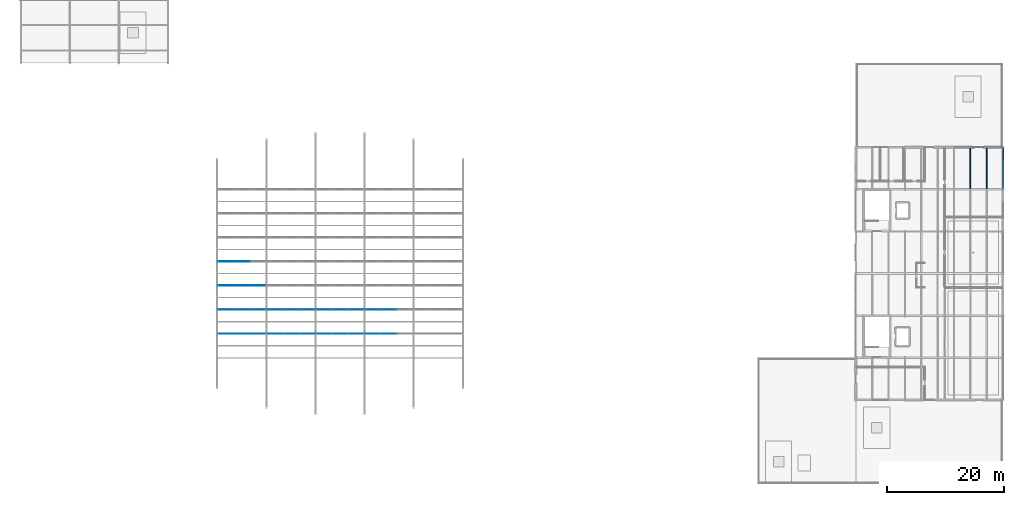
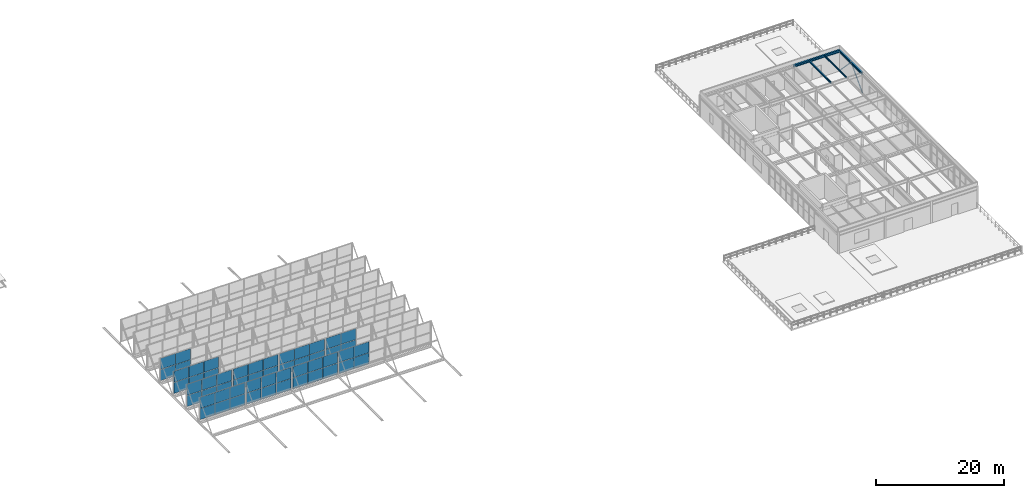
# One storey, part 64 of 77: 54 plates, 4 beams, 2 members, 10 elements without a shape of their own.
"""IFC4 building model written with IfcOpenShell, lengths in metres."""

from ifc_helpers import new_model, si_unit, derived_unit, direction, frame, origin, origin_2d, place, context, subcontext, project, spatial, rectangle, hollow_rectangle, i_section, extrude, material, layer, layer_set, material_profile, profile_set, type_object, element, aggregate, save


model = new_model("IFC4")

# Units and contexts
model_context = context("Model", 3, precision=1e-05, world=origin(), true_north=direction((0.0, 1.0)))
body_context = subcontext(model_context, "Body", "Model", "MODEL_VIEW")
ifc_project = project(units=[si_unit("LENGTHUNIT", "METRE"), si_unit("AREAUNIT", "SQUARE_METRE"), si_unit("VOLUMEUNIT", "CUBIC_METRE"), si_unit("PLANEANGLEUNIT", "RADIAN"), si_unit("MASSUNIT", "GRAM", prefix="KILO"), derived_unit("THERMALTRANSMITTANCEUNIT", [(si_unit("MASSUNIT", "GRAM", prefix="KILO"), 1), (si_unit("TIMEUNIT", "SECOND"), -3), (si_unit("THERMODYNAMICTEMPERATUREUNIT", "KELVIN"), -1)])], contexts=[model_context])

# Site, building, storey
site_placement = place(None, origin())
site = spatial("IfcSite", under=ifc_project, at=site_placement, CompositionType="ELEMENT")
building_placement = place(site_placement, origin())
building = spatial("IfcBuilding", under=site, at=building_placement, Name="Kharveza Railside Sports Centre", CompositionType="ELEMENT")
storey_placement = place(building_placement, frame((0.0, 0.0, 17.10009765625)))
storey = spatial("IfcBuildingStorey", under=building, at=storey_placement, Name="L04", CompositionType="ELEMENT", Elevation=17.10009765625)

# Beams
ifc_material_1 = material(Name="Steel S355J2", Category="steel")
ifc_material_profile_1 = material_profile(ifc_material_1, i_section(OverallWidth=0.300048828125, OverallDepth=0.449951171875, WebThickness=0.013916015625, FlangeThickness=0.02587890625, FilletRadius=0.027099609375, at=origin_2d()), Name="HEB 450")
ifc_profile_set_1 = profile_set([ifc_material_profile_1], Name="Steel S355J2")
beam_type_1 = type_object("IfcBeamType", Name="BM-G06", PredefinedType="T_BEAM", material=ifc_profile_set_1)
beam_1_placement = place(storey_placement, frame((159.60009765625, 72.0, 3.784912109375), z_axis=(1.0, 0.0, 0.0), x_axis=(0.0, 1.0, 0.0)))
element("IfcBeam", 1, at=beam_1_placement, inside=storey, type_object=beam_type_1, Name="BM-EW-L04-B06-X1596-Y720", PredefinedType="T_BEAM", context=body_context, shape_type="SweptSolid", body=[
    extrude(i_section(OverallWidth=0.300048828125, OverallDepth=0.449951171875, WebThickness=0.013916015625, FlangeThickness=0.02587890625, FilletRadius=0.027099609375, at=origin_2d()), origin(), (0.0, 0.0, 1.0), 8.39990234375),
])
ifc_material_profile_2 = material_profile(ifc_material_1, i_section(OverallWidth=0.169921875, OverallDepth=0.360107421875, WebThickness=0.008056640625, FlangeThickness=0.0126953125, FilletRadius=0.01806640625, at=origin_2d()), Name="IPE 360")
ifc_profile_set_2 = profile_set([ifc_material_profile_2], Name="Steel S355J2")
beam_type_2 = type_object("IfcBeamType", Name="BM-S02", PredefinedType="BEAM", material=ifc_profile_set_2)
beam_2_placement = place(storey_placement, frame((162.39990234375, 64.902099609375, 3.829833984375), z_axis=(0.0, 1.0, 0.0), x_axis=(-1.0, 0.0, 0.0)))
element("IfcBeam", 2, at=beam_2_placement, inside=storey, type_object=beam_type_2, Name="BM-SEC-L04-B10-X1624-Y648", PredefinedType="BEAM", context=body_context, shape_type="SweptSolid", body=[
    extrude(i_section(OverallWidth=0.169921875, OverallDepth=0.360107421875, WebThickness=0.008056640625, FlangeThickness=0.0126953125, FilletRadius=0.01806640625, at=origin_2d()), origin(), (0.0, 0.0, 1.0), 6.950927734375),
])
ifc_material_profile_3 = material_profile(ifc_material_1, i_section(OverallWidth=0.14990234375, OverallDepth=0.300048828125, WebThickness=0.007080078125, FlangeThickness=0.0107421875, FilletRadius=0.014892578125, at=origin_2d()), Name="IPE 300")
ifc_profile_set_3 = profile_set([ifc_material_profile_3], Name="Steel S355J2")
beam_type_3 = type_object("IfcBeamType", Name="BM-S04", PredefinedType="BEAM", material=ifc_profile_set_3)
beam_3_placement = place(storey_placement, frame((165.199951171875, 64.902099609375, 3.85986328125), z_axis=(0.0, 1.0, 0.0), x_axis=(-1.0, 0.0, 0.0)))
element("IfcBeam", 3, at=beam_3_placement, inside=storey, type_object=beam_type_3, Name="BM-SEC-L04-B12-X1652-Y648", PredefinedType="BEAM", context=body_context, shape_type="SweptSolid", body=[
    extrude(i_section(OverallWidth=0.14990234375, OverallDepth=0.300048828125, WebThickness=0.007080078125, FlangeThickness=0.0107421875, FilletRadius=0.014892578125, at=origin_2d()), origin(), (0.0, 0.0, 1.0), 6.950927734375),
])
ifc_material_profile_4 = material_profile(ifc_material_1, i_section(OverallWidth=0.300048828125, OverallDepth=0.43994140625, WebThickness=0.011474609375, FlangeThickness=0.02099609375, FilletRadius=0.027099609375, at=origin_2d()), Name="HEA 450")
ifc_profile_set_4 = profile_set([ifc_material_profile_4], Name="Steel S355J2")
beam_type_4 = type_object("IfcBeamType", Name="BM-SP01", PredefinedType="SPANDREL", material=ifc_profile_set_4)
beam_4_placement = place(storey_placement, frame((168.0, 64.800048828125, 3.789794921875), z_axis=(0.0, 1.0, 0.0), x_axis=(-1.0, 0.0, 0.0)))
element("IfcBeam", 4, at=beam_4_placement, inside=storey, type_object=beam_type_4, Name="BM-NS-L04-B15-X1680-Y648", PredefinedType="SPANDREL", context=body_context, shape_type="SweptSolid", body=[
    extrude(i_section(OverallWidth=0.300048828125, OverallDepth=0.43994140625, WebThickness=0.011474609375, FlangeThickness=0.02099609375, FilletRadius=0.027099609375, at=origin_2d()), origin(), (0.0, 0.0, 1.0), 7.199951171875),
])

# Members
ifc_material_profile_5 = material_profile(ifc_material_1, hollow_rectangle(XDim=0.14990234375, YDim=0.14990234375, WallThickness=0.008056640625, InnerFilletRadius=0.008056640625, OuterFilletRadius=0.01611328125, at=origin_2d()), Name="SHS 150x150x8.0")
ifc_profile_set_5 = profile_set([ifc_material_profile_5], Name="Steel S355J2")
member_type = type_object("IfcMemberType", Name="MB-BR02", PredefinedType="BRACE", material=ifc_profile_set_5)
member_1_placement = place(storey_placement, frame((168.0, 64.800048828125, 0.0), z_axis=(0.0, 0.692517163318, 0.721401399021), x_axis=(-1.0, 0.0, 0.0)))
element("IfcMember", 5, at=member_1_placement, inside=storey, type_object=member_type, Name="MB-CHEV-NS-022A", PredefinedType="BRACE", context=body_context, shape_type="SweptSolid", body=[
    extrude(hollow_rectangle(XDim=0.14990234375, YDim=0.14990234375, WallThickness=0.008056640625, InnerFilletRadius=0.008056640625, OuterFilletRadius=0.01611328125, at=origin_2d()), origin(), (0.0, 0.0, 1.0), 5.1982421875),
])
member_2_placement = place(storey_placement, frame((168.0, 72.0, 0.0), z_axis=(0.0, -0.692541604294, 0.721377935844), x_axis=(1.0, 0.0, 0.0)))
element("IfcMember", 6, at=member_2_placement, inside=storey, type_object=member_type, Name="MB-CHEV-NS-022B", PredefinedType="BRACE", context=body_context, shape_type="SweptSolid", body=[
    extrude(hollow_rectangle(XDim=0.14990234375, YDim=0.14990234375, WallThickness=0.008056640625, InnerFilletRadius=0.008056640625, OuterFilletRadius=0.01611328125, at=origin_2d()), origin(), (0.0, 0.0, 1.0), 5.198486328125),
])

# Curtain wall, plates
ifc_material_2 = material(Name="Low-E solar-control laminated glass", Category="glass")
curtain_wall_type = type_object("IfcCurtainWallType", Name="CW-NL01", PredefinedType="NOTDEFINED", material=ifc_material_2)
curtain_wall_1_placement = place(storey_placement, origin())
curtain_wall_1 = element("IfcCurtainWall", 7, at=curtain_wall_1_placement, inside=storey, type_object=curtain_wall_type, Name="CW-V1NL-1-1", PredefinedType="NOTDEFINED")
ifc_layer = layer(ifc_material_2, 0.033935546875, Name="Low-E solar-control laminated glass")
ifc_layer_set = layer_set([ifc_layer], Name="Low-E solar-control laminated glass")
plate_type = type_object("IfcPlateType", Name="PL-CP05", PredefinedType="CURTAIN_PANEL", material=ifc_layer_set)
plate_1_placement = place(storey_placement, frame((35.080078125, 40.1142578125, -0.5302734375), z_axis=(0.0, 0.0, 1.0), x_axis=(1.0, 0.0, 0.0)))
plate_1 = element("IfcPlate", 8, at=plate_1_placement, type_object=plate_type, Name="CW-V1NL-1-1-PN11", PredefinedType="CURTAIN_PANEL", context=body_context, shape_type="SweptSolid", body=[
    extrude(rectangle(XDim=2.679931640625, YDim=0.033935546875, at=origin_2d()), origin(), (0.0, 0.0, 1.0), 2.110107421875),
])
plate_2_placement = place(storey_placement, frame((35.080078125, 40.1142578125, 1.61962890625), z_axis=(0.0, 0.0, 1.0), x_axis=(1.0, 0.0, 0.0)))
plate_2 = element("IfcPlate", 9, at=plate_2_placement, type_object=plate_type, Name="CW-V1NL-1-1-PN12", PredefinedType="CURTAIN_PANEL", context=body_context, shape_type="SweptSolid", body=[
    extrude(rectangle(XDim=2.679931640625, YDim=0.033935546875, at=origin_2d()), origin(), (0.0, 0.0, 1.0), 2.110107421875),
])
plate_3_placement = place(storey_placement, frame((37.800048828125, 40.1142578125, -0.5302734375), z_axis=(0.0, 0.0, 1.0), x_axis=(1.0, 0.0, 0.0)))
plate_3 = element("IfcPlate", 10, at=plate_3_placement, type_object=plate_type, Name="CW-V1NL-1-1-PN21", PredefinedType="CURTAIN_PANEL", context=body_context, shape_type="SweptSolid", body=[
    extrude(rectangle(XDim=2.679931640625, YDim=0.033935546875, at=origin_2d()), origin(), (0.0, 0.0, 1.0), 2.110107421875),
])
plate_4_placement = place(storey_placement, frame((37.800048828125, 40.1142578125, 1.61962890625), z_axis=(0.0, 0.0, 1.0), x_axis=(1.0, 0.0, 0.0)))
plate_4 = element("IfcPlate", 11, at=plate_4_placement, type_object=plate_type, Name="CW-V1NL-1-1-PN22", PredefinedType="CURTAIN_PANEL", context=body_context, shape_type="SweptSolid", body=[
    extrude(rectangle(XDim=2.679931640625, YDim=0.033935546875, at=origin_2d()), origin(), (0.0, 0.0, 1.0), 2.110107421875),
])
plate_5_placement = place(storey_placement, frame((40.52001953125, 40.1142578125, -0.5302734375), z_axis=(0.0, 0.0, 1.0), x_axis=(1.0, 0.0, 0.0)))
plate_5 = element("IfcPlate", 12, at=plate_5_placement, type_object=plate_type, Name="CW-V1NL-1-1-PN31", PredefinedType="CURTAIN_PANEL", context=body_context, shape_type="SweptSolid", body=[
    extrude(rectangle(XDim=2.679931640625, YDim=0.033935546875, at=origin_2d()), origin(), (0.0, 0.0, 1.0), 2.110107421875),
])
plate_6_placement = place(storey_placement, frame((40.52001953125, 40.1142578125, 1.61962890625), z_axis=(0.0, 0.0, 1.0), x_axis=(1.0, 0.0, 0.0)))
plate_6 = element("IfcPlate", 13, at=plate_6_placement, type_object=plate_type, Name="CW-V1NL-1-1-PN32", PredefinedType="CURTAIN_PANEL", context=body_context, shape_type="SweptSolid", body=[
    extrude(rectangle(XDim=2.679931640625, YDim=0.033935546875, at=origin_2d()), origin(), (0.0, 0.0, 1.0), 2.110107421875),
])
aggregate(curtain_wall_1, [plate_1, plate_2, plate_3, plate_4, plate_5, plate_6])

curtain_wall_2_placement = place(storey_placement, origin())
curtain_wall_2 = element("IfcCurtainWall", 14, at=curtain_wall_2_placement, inside=storey, type_object=curtain_wall_type, Name="CW-V1NL-1-2", PredefinedType="NOTDEFINED")
plate_7_placement = place(storey_placement, frame((43.47998046875, 40.1142578125, -0.5302734375), z_axis=(0.0, 0.0, 1.0), x_axis=(1.0, 0.0, 0.0)))
plate_7 = element("IfcPlate", 15, at=plate_7_placement, type_object=plate_type, Name="CW-V1NL-1-2-PN11", PredefinedType="CURTAIN_PANEL", context=body_context, shape_type="SweptSolid", body=[
    extrude(rectangle(XDim=2.679931640625, YDim=0.033935546875, at=origin_2d()), origin(), (0.0, 0.0, 1.0), 2.110107421875),
])
plate_8_placement = place(storey_placement, frame((43.47998046875, 40.1142578125, 1.61962890625), z_axis=(0.0, 0.0, 1.0), x_axis=(1.0, 0.0, 0.0)))
plate_8 = element("IfcPlate", 16, at=plate_8_placement, type_object=plate_type, Name="CW-V1NL-1-2-PN12", PredefinedType="CURTAIN_PANEL", context=body_context, shape_type="SweptSolid", body=[
    extrude(rectangle(XDim=2.679931640625, YDim=0.033935546875, at=origin_2d()), origin(), (0.0, 0.0, 1.0), 2.110107421875),
])
plate_9_placement = place(storey_placement, frame((46.199951171875, 40.1142578125, -0.5302734375), z_axis=(0.0, 0.0, 1.0), x_axis=(1.0, 0.0, 0.0)))
plate_9 = element("IfcPlate", 17, at=plate_9_placement, type_object=plate_type, Name="CW-V1NL-1-2-PN21", PredefinedType="CURTAIN_PANEL", context=body_context, shape_type="SweptSolid", body=[
    extrude(rectangle(XDim=2.679931640625, YDim=0.033935546875, at=origin_2d()), origin(), (0.0, 0.0, 1.0), 2.110107421875),
])
plate_10_placement = place(storey_placement, frame((46.199951171875, 40.1142578125, 1.61962890625), z_axis=(0.0, 0.0, 1.0), x_axis=(1.0, 0.0, 0.0)))
plate_10 = element("IfcPlate", 18, at=plate_10_placement, type_object=plate_type, Name="CW-V1NL-1-2-PN22", PredefinedType="CURTAIN_PANEL", context=body_context, shape_type="SweptSolid", body=[
    extrude(rectangle(XDim=2.679931640625, YDim=0.033935546875, at=origin_2d()), origin(), (0.0, 0.0, 1.0), 2.110107421875),
])
plate_11_placement = place(storey_placement, frame((48.919921875, 40.1142578125, -0.5302734375), z_axis=(0.0, 0.0, 1.0), x_axis=(1.0, 0.0, 0.0)))
plate_11 = element("IfcPlate", 19, at=plate_11_placement, type_object=plate_type, Name="CW-V1NL-1-2-PN31", PredefinedType="CURTAIN_PANEL", context=body_context, shape_type="SweptSolid", body=[
    extrude(rectangle(XDim=2.679931640625, YDim=0.033935546875, at=origin_2d()), origin(), (0.0, 0.0, 1.0), 2.110107421875),
])
plate_12_placement = place(storey_placement, frame((48.919921875, 40.1142578125, 1.61962890625), z_axis=(0.0, 0.0, 1.0), x_axis=(1.0, 0.0, 0.0)))
plate_12 = element("IfcPlate", 20, at=plate_12_placement, type_object=plate_type, Name="CW-V1NL-1-2-PN32", PredefinedType="CURTAIN_PANEL", context=body_context, shape_type="SweptSolid", body=[
    extrude(rectangle(XDim=2.679931640625, YDim=0.033935546875, at=origin_2d()), origin(), (0.0, 0.0, 1.0), 2.110107421875),
])
aggregate(curtain_wall_2, [plate_7, plate_8, plate_9, plate_10, plate_11, plate_12])

curtain_wall_3_placement = place(storey_placement, origin())
curtain_wall_3 = element("IfcCurtainWall", 21, at=curtain_wall_3_placement, inside=storey, type_object=curtain_wall_type, Name="CW-V1NL-1-3", PredefinedType="NOTDEFINED")
plate_13_placement = place(storey_placement, frame((51.8798828125, 40.1142578125, -0.5302734375), z_axis=(0.0, 0.0, 1.0), x_axis=(1.0, 0.0, 0.0)))
plate_13 = element("IfcPlate", 22, at=plate_13_placement, type_object=plate_type, Name="CW-V1NL-1-3-PN11", PredefinedType="CURTAIN_PANEL", context=body_context, shape_type="SweptSolid", body=[
    extrude(rectangle(XDim=2.679931640625, YDim=0.033935546875, at=origin_2d()), origin(), (0.0, 0.0, 1.0), 2.110107421875),
])
plate_14_placement = place(storey_placement, frame((51.8798828125, 40.1142578125, 1.61962890625), z_axis=(0.0, 0.0, 1.0), x_axis=(1.0, 0.0, 0.0)))
plate_14 = element("IfcPlate", 23, at=plate_14_placement, type_object=plate_type, Name="CW-V1NL-1-3-PN12", PredefinedType="CURTAIN_PANEL", context=body_context, shape_type="SweptSolid", body=[
    extrude(rectangle(XDim=2.679931640625, YDim=0.033935546875, at=origin_2d()), origin(), (0.0, 0.0, 1.0), 2.110107421875),
])
plate_15_placement = place(storey_placement, frame((54.60009765625, 40.1142578125, -0.5302734375), z_axis=(0.0, 0.0, 1.0), x_axis=(1.0, 0.0, 0.0)))
plate_15 = element("IfcPlate", 24, at=plate_15_placement, type_object=plate_type, Name="CW-V1NL-1-3-PN21", PredefinedType="CURTAIN_PANEL", context=body_context, shape_type="SweptSolid", body=[
    extrude(rectangle(XDim=2.679931640625, YDim=0.033935546875, at=origin_2d()), origin(), (0.0, 0.0, 1.0), 2.110107421875),
])
plate_16_placement = place(storey_placement, frame((54.60009765625, 40.1142578125, 1.61962890625), z_axis=(0.0, 0.0, 1.0), x_axis=(1.0, 0.0, 0.0)))
plate_16 = element("IfcPlate", 25, at=plate_16_placement, type_object=plate_type, Name="CW-V1NL-1-3-PN22", PredefinedType="CURTAIN_PANEL", context=body_context, shape_type="SweptSolid", body=[
    extrude(rectangle(XDim=2.679931640625, YDim=0.033935546875, at=origin_2d()), origin(), (0.0, 0.0, 1.0), 2.110107421875),
])
plate_17_placement = place(storey_placement, frame((57.320068359375, 40.1142578125, -0.5302734375), z_axis=(0.0, 0.0, 1.0), x_axis=(1.0, 0.0, 0.0)))
plate_17 = element("IfcPlate", 26, at=plate_17_placement, type_object=plate_type, Name="CW-V1NL-1-3-PN31", PredefinedType="CURTAIN_PANEL", context=body_context, shape_type="SweptSolid", body=[
    extrude(rectangle(XDim=2.679931640625, YDim=0.033935546875, at=origin_2d()), origin(), (0.0, 0.0, 1.0), 2.110107421875),
])
plate_18_placement = place(storey_placement, frame((57.320068359375, 40.1142578125, 1.61962890625), z_axis=(0.0, 0.0, 1.0), x_axis=(1.0, 0.0, 0.0)))
plate_18 = element("IfcPlate", 27, at=plate_18_placement, type_object=plate_type, Name="CW-V1NL-1-3-PN32", PredefinedType="CURTAIN_PANEL", context=body_context, shape_type="SweptSolid", body=[
    extrude(rectangle(XDim=2.679931640625, YDim=0.033935546875, at=origin_2d()), origin(), (0.0, 0.0, 1.0), 2.110107421875),
])
aggregate(curtain_wall_3, [plate_13, plate_14, plate_15, plate_16, plate_17, plate_18])

curtain_wall_4_placement = place(storey_placement, origin())
curtain_wall_4 = element("IfcCurtainWall", 28, at=curtain_wall_4_placement, inside=storey, type_object=curtain_wall_type, Name="CW-V1NL-1-4", PredefinedType="NOTDEFINED")
plate_19_placement = place(storey_placement, frame((60.280029296875, 40.1142578125, -0.5302734375), z_axis=(0.0, 0.0, 1.0), x_axis=(1.0, 0.0, 0.0)))
plate_19 = element("IfcPlate", 29, at=plate_19_placement, type_object=plate_type, Name="CW-V1NL-1-4-PN11", PredefinedType="CURTAIN_PANEL", context=body_context, shape_type="SweptSolid", body=[
    extrude(rectangle(XDim=2.679931640625, YDim=0.033935546875, at=origin_2d()), origin(), (0.0, 0.0, 1.0), 2.110107421875),
])
plate_20_placement = place(storey_placement, frame((60.280029296875, 40.1142578125, 1.61962890625), z_axis=(0.0, 0.0, 1.0), x_axis=(1.0, 0.0, 0.0)))
plate_20 = element("IfcPlate", 30, at=plate_20_placement, type_object=plate_type, Name="CW-V1NL-1-4-PN12", PredefinedType="CURTAIN_PANEL", context=body_context, shape_type="SweptSolid", body=[
    extrude(rectangle(XDim=2.679931640625, YDim=0.033935546875, at=origin_2d()), origin(), (0.0, 0.0, 1.0), 2.110107421875),
])
plate_21_placement = place(storey_placement, frame((63.0, 40.1142578125, -0.5302734375), z_axis=(0.0, 0.0, 1.0), x_axis=(1.0, 0.0, 0.0)))
plate_21 = element("IfcPlate", 31, at=plate_21_placement, type_object=plate_type, Name="CW-V1NL-1-4-PN21", PredefinedType="CURTAIN_PANEL", context=body_context, shape_type="SweptSolid", body=[
    extrude(rectangle(XDim=2.679931640625, YDim=0.033935546875, at=origin_2d()), origin(), (0.0, 0.0, 1.0), 2.110107421875),
])
plate_22_placement = place(storey_placement, frame((63.0, 40.1142578125, 1.61962890625), z_axis=(0.0, 0.0, 1.0), x_axis=(1.0, 0.0, 0.0)))
plate_22 = element("IfcPlate", 32, at=plate_22_placement, type_object=plate_type, Name="CW-V1NL-1-4-PN22", PredefinedType="CURTAIN_PANEL", context=body_context, shape_type="SweptSolid", body=[
    extrude(rectangle(XDim=2.679931640625, YDim=0.033935546875, at=origin_2d()), origin(), (0.0, 0.0, 1.0), 2.110107421875),
])
aggregate(curtain_wall_4, [plate_19, plate_20, plate_21, plate_22])

curtain_wall_5_placement = place(storey_placement, origin())
curtain_wall_5 = element("IfcCurtainWall", 33, at=curtain_wall_5_placement, inside=storey, type_object=curtain_wall_type, Name="CW-V1NL-2-1", PredefinedType="NOTDEFINED")
plate_23_placement = place(storey_placement, frame((35.080078125, 44.228515625, -0.5302734375), z_axis=(0.0, 0.0, 1.0), x_axis=(1.0, 0.0, 0.0)))
plate_23 = element("IfcPlate", 34, at=plate_23_placement, type_object=plate_type, Name="CW-V1NL-2-1-PN11", PredefinedType="CURTAIN_PANEL", context=body_context, shape_type="SweptSolid", body=[
    extrude(rectangle(XDim=2.679931640625, YDim=0.033935546875, at=origin_2d()), origin(), (0.0, 0.0, 1.0), 2.110107421875),
])
plate_24_placement = place(storey_placement, frame((35.080078125, 44.228515625, 1.61962890625), z_axis=(0.0, 0.0, 1.0), x_axis=(1.0, 0.0, 0.0)))
plate_24 = element("IfcPlate", 35, at=plate_24_placement, type_object=plate_type, Name="CW-V1NL-2-1-PN12", PredefinedType="CURTAIN_PANEL", context=body_context, shape_type="SweptSolid", body=[
    extrude(rectangle(XDim=2.679931640625, YDim=0.033935546875, at=origin_2d()), origin(), (0.0, 0.0, 1.0), 2.110107421875),
])
plate_25_placement = place(storey_placement, frame((37.800048828125, 44.228515625, -0.5302734375), z_axis=(0.0, 0.0, 1.0), x_axis=(1.0, 0.0, 0.0)))
plate_25 = element("IfcPlate", 36, at=plate_25_placement, type_object=plate_type, Name="CW-V1NL-2-1-PN21", PredefinedType="CURTAIN_PANEL", context=body_context, shape_type="SweptSolid", body=[
    extrude(rectangle(XDim=2.679931640625, YDim=0.033935546875, at=origin_2d()), origin(), (0.0, 0.0, 1.0), 2.110107421875),
])
plate_26_placement = place(storey_placement, frame((37.800048828125, 44.228515625, 1.61962890625), z_axis=(0.0, 0.0, 1.0), x_axis=(1.0, 0.0, 0.0)))
plate_26 = element("IfcPlate", 37, at=plate_26_placement, type_object=plate_type, Name="CW-V1NL-2-1-PN22", PredefinedType="CURTAIN_PANEL", context=body_context, shape_type="SweptSolid", body=[
    extrude(rectangle(XDim=2.679931640625, YDim=0.033935546875, at=origin_2d()), origin(), (0.0, 0.0, 1.0), 2.110107421875),
])
plate_27_placement = place(storey_placement, frame((40.52001953125, 44.228515625, -0.5302734375), z_axis=(0.0, 0.0, 1.0), x_axis=(1.0, 0.0, 0.0)))
plate_27 = element("IfcPlate", 38, at=plate_27_placement, type_object=plate_type, Name="CW-V1NL-2-1-PN31", PredefinedType="CURTAIN_PANEL", context=body_context, shape_type="SweptSolid", body=[
    extrude(rectangle(XDim=2.679931640625, YDim=0.033935546875, at=origin_2d()), origin(), (0.0, 0.0, 1.0), 2.110107421875),
])
plate_28_placement = place(storey_placement, frame((40.52001953125, 44.228515625, 1.61962890625), z_axis=(0.0, 0.0, 1.0), x_axis=(1.0, 0.0, 0.0)))
plate_28 = element("IfcPlate", 39, at=plate_28_placement, type_object=plate_type, Name="CW-V1NL-2-1-PN32", PredefinedType="CURTAIN_PANEL", context=body_context, shape_type="SweptSolid", body=[
    extrude(rectangle(XDim=2.679931640625, YDim=0.033935546875, at=origin_2d()), origin(), (0.0, 0.0, 1.0), 2.110107421875),
])
aggregate(curtain_wall_5, [plate_23, plate_24, plate_25, plate_26, plate_27, plate_28])

curtain_wall_6_placement = place(storey_placement, origin())
curtain_wall_6 = element("IfcCurtainWall", 40, at=curtain_wall_6_placement, inside=storey, type_object=curtain_wall_type, Name="CW-V1NL-2-2", PredefinedType="NOTDEFINED")
plate_29_placement = place(storey_placement, frame((43.47998046875, 44.228515625, -0.5302734375), z_axis=(0.0, 0.0, 1.0), x_axis=(1.0, 0.0, 0.0)))
plate_29 = element("IfcPlate", 41, at=plate_29_placement, type_object=plate_type, Name="CW-V1NL-2-2-PN11", PredefinedType="CURTAIN_PANEL", context=body_context, shape_type="SweptSolid", body=[
    extrude(rectangle(XDim=2.679931640625, YDim=0.033935546875, at=origin_2d()), origin(), (0.0, 0.0, 1.0), 2.110107421875),
])
plate_30_placement = place(storey_placement, frame((43.47998046875, 44.228515625, 1.61962890625), z_axis=(0.0, 0.0, 1.0), x_axis=(1.0, 0.0, 0.0)))
plate_30 = element("IfcPlate", 42, at=plate_30_placement, type_object=plate_type, Name="CW-V1NL-2-2-PN12", PredefinedType="CURTAIN_PANEL", context=body_context, shape_type="SweptSolid", body=[
    extrude(rectangle(XDim=2.679931640625, YDim=0.033935546875, at=origin_2d()), origin(), (0.0, 0.0, 1.0), 2.110107421875),
])
plate_31_placement = place(storey_placement, frame((46.199951171875, 44.228515625, -0.5302734375), z_axis=(0.0, 0.0, 1.0), x_axis=(1.0, 0.0, 0.0)))
plate_31 = element("IfcPlate", 43, at=plate_31_placement, type_object=plate_type, Name="CW-V1NL-2-2-PN21", PredefinedType="CURTAIN_PANEL", context=body_context, shape_type="SweptSolid", body=[
    extrude(rectangle(XDim=2.679931640625, YDim=0.033935546875, at=origin_2d()), origin(), (0.0, 0.0, 1.0), 2.110107421875),
])
plate_32_placement = place(storey_placement, frame((46.199951171875, 44.228515625, 1.61962890625), z_axis=(0.0, 0.0, 1.0), x_axis=(1.0, 0.0, 0.0)))
plate_32 = element("IfcPlate", 44, at=plate_32_placement, type_object=plate_type, Name="CW-V1NL-2-2-PN22", PredefinedType="CURTAIN_PANEL", context=body_context, shape_type="SweptSolid", body=[
    extrude(rectangle(XDim=2.679931640625, YDim=0.033935546875, at=origin_2d()), origin(), (0.0, 0.0, 1.0), 2.110107421875),
])
plate_33_placement = place(storey_placement, frame((48.919921875, 44.228515625, -0.5302734375), z_axis=(0.0, 0.0, 1.0), x_axis=(1.0, 0.0, 0.0)))
plate_33 = element("IfcPlate", 45, at=plate_33_placement, type_object=plate_type, Name="CW-V1NL-2-2-PN31", PredefinedType="CURTAIN_PANEL", context=body_context, shape_type="SweptSolid", body=[
    extrude(rectangle(XDim=2.679931640625, YDim=0.033935546875, at=origin_2d()), origin(), (0.0, 0.0, 1.0), 2.110107421875),
])
plate_34_placement = place(storey_placement, frame((48.919921875, 44.228515625, 1.61962890625), z_axis=(0.0, 0.0, 1.0), x_axis=(1.0, 0.0, 0.0)))
plate_34 = element("IfcPlate", 46, at=plate_34_placement, type_object=plate_type, Name="CW-V1NL-2-2-PN32", PredefinedType="CURTAIN_PANEL", context=body_context, shape_type="SweptSolid", body=[
    extrude(rectangle(XDim=2.679931640625, YDim=0.033935546875, at=origin_2d()), origin(), (0.0, 0.0, 1.0), 2.110107421875),
])
aggregate(curtain_wall_6, [plate_29, plate_30, plate_31, plate_32, plate_33, plate_34])

curtain_wall_7_placement = place(storey_placement, origin())
curtain_wall_7 = element("IfcCurtainWall", 47, at=curtain_wall_7_placement, inside=storey, type_object=curtain_wall_type, Name="CW-V1NL-2-3", PredefinedType="NOTDEFINED")
plate_35_placement = place(storey_placement, frame((51.8798828125, 44.228515625, -0.5302734375), z_axis=(0.0, 0.0, 1.0), x_axis=(1.0, 0.0, 0.0)))
plate_35 = element("IfcPlate", 48, at=plate_35_placement, type_object=plate_type, Name="CW-V1NL-2-3-PN11", PredefinedType="CURTAIN_PANEL", context=body_context, shape_type="SweptSolid", body=[
    extrude(rectangle(XDim=2.679931640625, YDim=0.033935546875, at=origin_2d()), origin(), (0.0, 0.0, 1.0), 2.110107421875),
])
plate_36_placement = place(storey_placement, frame((51.8798828125, 44.228515625, 1.61962890625), z_axis=(0.0, 0.0, 1.0), x_axis=(1.0, 0.0, 0.0)))
plate_36 = element("IfcPlate", 49, at=plate_36_placement, type_object=plate_type, Name="CW-V1NL-2-3-PN12", PredefinedType="CURTAIN_PANEL", context=body_context, shape_type="SweptSolid", body=[
    extrude(rectangle(XDim=2.679931640625, YDim=0.033935546875, at=origin_2d()), origin(), (0.0, 0.0, 1.0), 2.110107421875),
])
plate_37_placement = place(storey_placement, frame((54.60009765625, 44.228515625, -0.5302734375), z_axis=(0.0, 0.0, 1.0), x_axis=(1.0, 0.0, 0.0)))
plate_37 = element("IfcPlate", 50, at=plate_37_placement, type_object=plate_type, Name="CW-V1NL-2-3-PN21", PredefinedType="CURTAIN_PANEL", context=body_context, shape_type="SweptSolid", body=[
    extrude(rectangle(XDim=2.679931640625, YDim=0.033935546875, at=origin_2d()), origin(), (0.0, 0.0, 1.0), 2.110107421875),
])
plate_38_placement = place(storey_placement, frame((54.60009765625, 44.228515625, 1.61962890625), z_axis=(0.0, 0.0, 1.0), x_axis=(1.0, 0.0, 0.0)))
plate_38 = element("IfcPlate", 51, at=plate_38_placement, type_object=plate_type, Name="CW-V1NL-2-3-PN22", PredefinedType="CURTAIN_PANEL", context=body_context, shape_type="SweptSolid", body=[
    extrude(rectangle(XDim=2.679931640625, YDim=0.033935546875, at=origin_2d()), origin(), (0.0, 0.0, 1.0), 2.110107421875),
])
plate_39_placement = place(storey_placement, frame((57.320068359375, 44.228515625, -0.5302734375), z_axis=(0.0, 0.0, 1.0), x_axis=(1.0, 0.0, 0.0)))
plate_39 = element("IfcPlate", 52, at=plate_39_placement, type_object=plate_type, Name="CW-V1NL-2-3-PN31", PredefinedType="CURTAIN_PANEL", context=body_context, shape_type="SweptSolid", body=[
    extrude(rectangle(XDim=2.679931640625, YDim=0.033935546875, at=origin_2d()), origin(), (0.0, 0.0, 1.0), 2.110107421875),
])
plate_40_placement = place(storey_placement, frame((57.320068359375, 44.228515625, 1.61962890625), z_axis=(0.0, 0.0, 1.0), x_axis=(1.0, 0.0, 0.0)))
plate_40 = element("IfcPlate", 53, at=plate_40_placement, type_object=plate_type, Name="CW-V1NL-2-3-PN32", PredefinedType="CURTAIN_PANEL", context=body_context, shape_type="SweptSolid", body=[
    extrude(rectangle(XDim=2.679931640625, YDim=0.033935546875, at=origin_2d()), origin(), (0.0, 0.0, 1.0), 2.110107421875),
])
aggregate(curtain_wall_7, [plate_35, plate_36, plate_37, plate_38, plate_39, plate_40])

curtain_wall_8_placement = place(storey_placement, origin())
curtain_wall_8 = element("IfcCurtainWall", 54, at=curtain_wall_8_placement, inside=storey, type_object=curtain_wall_type, Name="CW-V1NL-2-4", PredefinedType="NOTDEFINED")
plate_41_placement = place(storey_placement, frame((60.280029296875, 44.228515625, -0.5302734375), z_axis=(0.0, 0.0, 1.0), x_axis=(1.0, 0.0, 0.0)))
plate_41 = element("IfcPlate", 55, at=plate_41_placement, type_object=plate_type, Name="CW-V1NL-2-4-PN11", PredefinedType="CURTAIN_PANEL", context=body_context, shape_type="SweptSolid", body=[
    extrude(rectangle(XDim=2.679931640625, YDim=0.033935546875, at=origin_2d()), origin(), (0.0, 0.0, 1.0), 2.110107421875),
])
plate_42_placement = place(storey_placement, frame((60.280029296875, 44.228515625, 1.61962890625), z_axis=(0.0, 0.0, 1.0), x_axis=(1.0, 0.0, 0.0)))
plate_42 = element("IfcPlate", 56, at=plate_42_placement, type_object=plate_type, Name="CW-V1NL-2-4-PN12", PredefinedType="CURTAIN_PANEL", context=body_context, shape_type="SweptSolid", body=[
    extrude(rectangle(XDim=2.679931640625, YDim=0.033935546875, at=origin_2d()), origin(), (0.0, 0.0, 1.0), 2.110107421875),
])
plate_43_placement = place(storey_placement, frame((63.0, 44.228515625, -0.5302734375), z_axis=(0.0, 0.0, 1.0), x_axis=(1.0, 0.0, 0.0)))
plate_43 = element("IfcPlate", 57, at=plate_43_placement, type_object=plate_type, Name="CW-V1NL-2-4-PN21", PredefinedType="CURTAIN_PANEL", context=body_context, shape_type="SweptSolid", body=[
    extrude(rectangle(XDim=2.679931640625, YDim=0.033935546875, at=origin_2d()), origin(), (0.0, 0.0, 1.0), 2.110107421875),
])
plate_44_placement = place(storey_placement, frame((63.0, 44.228515625, 1.61962890625), z_axis=(0.0, 0.0, 1.0), x_axis=(1.0, 0.0, 0.0)))
plate_44 = element("IfcPlate", 58, at=plate_44_placement, type_object=plate_type, Name="CW-V1NL-2-4-PN22", PredefinedType="CURTAIN_PANEL", context=body_context, shape_type="SweptSolid", body=[
    extrude(rectangle(XDim=2.679931640625, YDim=0.033935546875, at=origin_2d()), origin(), (0.0, 0.0, 1.0), 2.110107421875),
])
aggregate(curtain_wall_8, [plate_41, plate_42, plate_43, plate_44])

curtain_wall_9_placement = place(storey_placement, origin())
curtain_wall_9 = element("IfcCurtainWall", 59, at=curtain_wall_9_placement, inside=storey, type_object=curtain_wall_type, Name="CW-V1NL-3-1", PredefinedType="NOTDEFINED")
plate_45_placement = place(storey_placement, frame((35.080078125, 48.343017578125, -0.5302734375), z_axis=(0.0, 0.0, 1.0), x_axis=(1.0, 0.0, 0.0)))
plate_45 = element("IfcPlate", 60, at=plate_45_placement, type_object=plate_type, Name="CW-V1NL-3-1-PN11", PredefinedType="CURTAIN_PANEL", context=body_context, shape_type="SweptSolid", body=[
    extrude(rectangle(XDim=2.679931640625, YDim=0.033935546875, at=origin_2d()), origin(), (0.0, 0.0, 1.0), 2.110107421875),
])
plate_46_placement = place(storey_placement, frame((35.080078125, 48.343017578125, 1.61962890625), z_axis=(0.0, 0.0, 1.0), x_axis=(1.0, 0.0, 0.0)))
plate_46 = element("IfcPlate", 61, at=plate_46_placement, type_object=plate_type, Name="CW-V1NL-3-1-PN12", PredefinedType="CURTAIN_PANEL", context=body_context, shape_type="SweptSolid", body=[
    extrude(rectangle(XDim=2.679931640625, YDim=0.033935546875, at=origin_2d()), origin(), (0.0, 0.0, 1.0), 2.110107421875),
])
plate_47_placement = place(storey_placement, frame((37.800048828125, 48.343017578125, -0.5302734375), z_axis=(0.0, 0.0, 1.0), x_axis=(1.0, 0.0, 0.0)))
plate_47 = element("IfcPlate", 62, at=plate_47_placement, type_object=plate_type, Name="CW-V1NL-3-1-PN21", PredefinedType="CURTAIN_PANEL", context=body_context, shape_type="SweptSolid", body=[
    extrude(rectangle(XDim=2.679931640625, YDim=0.033935546875, at=origin_2d()), origin(), (0.0, 0.0, 1.0), 2.110107421875),
])
plate_48_placement = place(storey_placement, frame((37.800048828125, 48.343017578125, 1.61962890625), z_axis=(0.0, 0.0, 1.0), x_axis=(1.0, 0.0, 0.0)))
plate_48 = element("IfcPlate", 63, at=plate_48_placement, type_object=plate_type, Name="CW-V1NL-3-1-PN22", PredefinedType="CURTAIN_PANEL", context=body_context, shape_type="SweptSolid", body=[
    extrude(rectangle(XDim=2.679931640625, YDim=0.033935546875, at=origin_2d()), origin(), (0.0, 0.0, 1.0), 2.110107421875),
])
plate_49_placement = place(storey_placement, frame((40.52001953125, 48.343017578125, -0.5302734375), z_axis=(0.0, 0.0, 1.0), x_axis=(1.0, 0.0, 0.0)))
plate_49 = element("IfcPlate", 64, at=plate_49_placement, type_object=plate_type, Name="CW-V1NL-3-1-PN31", PredefinedType="CURTAIN_PANEL", context=body_context, shape_type="SweptSolid", body=[
    extrude(rectangle(XDim=2.679931640625, YDim=0.033935546875, at=origin_2d()), origin(), (0.0, 0.0, 1.0), 2.110107421875),
])
plate_50_placement = place(storey_placement, frame((40.52001953125, 48.343017578125, 1.61962890625), z_axis=(0.0, 0.0, 1.0), x_axis=(1.0, 0.0, 0.0)))
plate_50 = element("IfcPlate", 65, at=plate_50_placement, type_object=plate_type, Name="CW-V1NL-3-1-PN32", PredefinedType="CURTAIN_PANEL", context=body_context, shape_type="SweptSolid", body=[
    extrude(rectangle(XDim=2.679931640625, YDim=0.033935546875, at=origin_2d()), origin(), (0.0, 0.0, 1.0), 2.110107421875),
])
aggregate(curtain_wall_9, [plate_45, plate_46, plate_47, plate_48, plate_49, plate_50])

curtain_wall_10_placement = place(storey_placement, origin())
curtain_wall_10 = element("IfcCurtainWall", 66, at=curtain_wall_10_placement, inside=storey, type_object=curtain_wall_type, Name="CW-V1NL-4-1", PredefinedType="NOTDEFINED")
plate_51_placement = place(storey_placement, frame((35.080078125, 52.45703125, -0.5302734375), z_axis=(0.0, 0.0, 1.0), x_axis=(1.0, 0.0, 0.0)))
plate_51 = element("IfcPlate", 67, at=plate_51_placement, type_object=plate_type, Name="CW-V1NL-4-1-PN11", PredefinedType="CURTAIN_PANEL", context=body_context, shape_type="SweptSolid", body=[
    extrude(rectangle(XDim=2.679931640625, YDim=0.033935546875, at=origin_2d()), origin(), (0.0, 0.0, 1.0), 2.110107421875),
])
plate_52_placement = place(storey_placement, frame((35.080078125, 52.45703125, 1.61962890625), z_axis=(0.0, 0.0, 1.0), x_axis=(1.0, 0.0, 0.0)))
plate_52 = element("IfcPlate", 68, at=plate_52_placement, type_object=plate_type, Name="CW-V1NL-4-1-PN12", PredefinedType="CURTAIN_PANEL", context=body_context, shape_type="SweptSolid", body=[
    extrude(rectangle(XDim=2.679931640625, YDim=0.033935546875, at=origin_2d()), origin(), (0.0, 0.0, 1.0), 2.110107421875),
])
plate_53_placement = place(storey_placement, frame((37.800048828125, 52.45703125, -0.5302734375), z_axis=(0.0, 0.0, 1.0), x_axis=(1.0, 0.0, 0.0)))
plate_53 = element("IfcPlate", 69, at=plate_53_placement, type_object=plate_type, Name="CW-V1NL-4-1-PN21", PredefinedType="CURTAIN_PANEL", context=body_context, shape_type="SweptSolid", body=[
    extrude(rectangle(XDim=2.679931640625, YDim=0.033935546875, at=origin_2d()), origin(), (0.0, 0.0, 1.0), 2.110107421875),
])
plate_54_placement = place(storey_placement, frame((37.800048828125, 52.45703125, 1.61962890625), z_axis=(0.0, 0.0, 1.0), x_axis=(1.0, 0.0, 0.0)))
plate_54 = element("IfcPlate", 70, at=plate_54_placement, type_object=plate_type, Name="CW-V1NL-4-1-PN22", PredefinedType="CURTAIN_PANEL", context=body_context, shape_type="SweptSolid", body=[
    extrude(rectangle(XDim=2.679931640625, YDim=0.033935546875, at=origin_2d()), origin(), (0.0, 0.0, 1.0), 2.110107421875),
])
aggregate(curtain_wall_10, [plate_51, plate_52, plate_53, plate_54])

save(model, "model.ifc")
